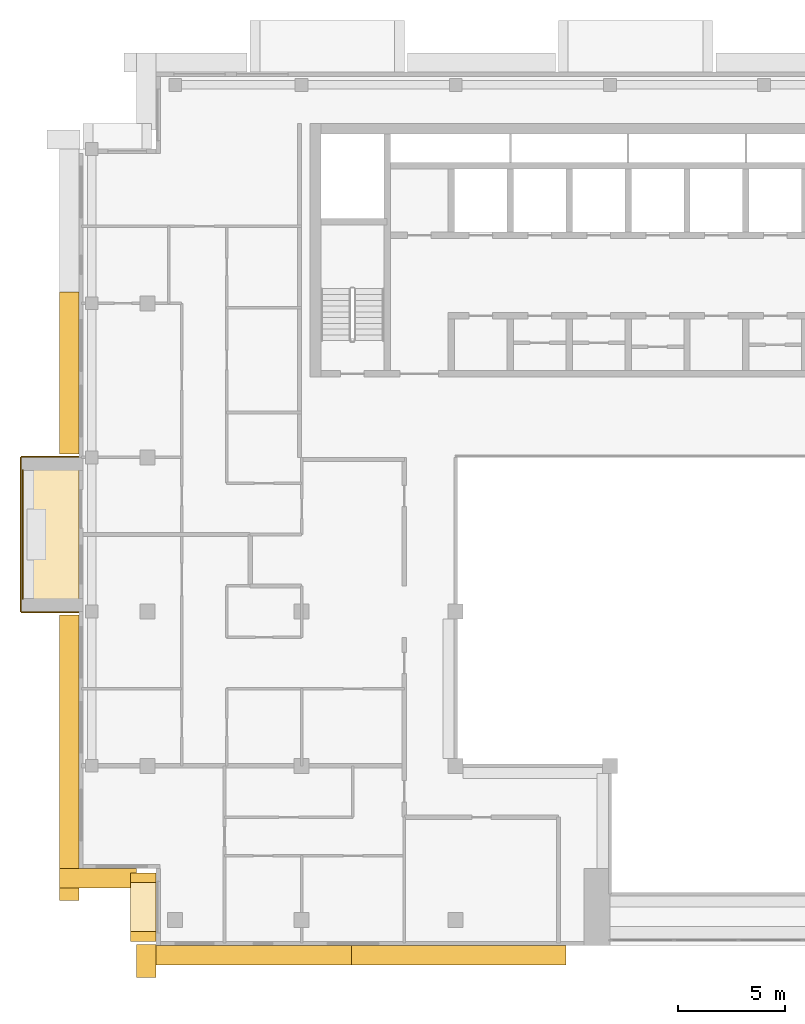
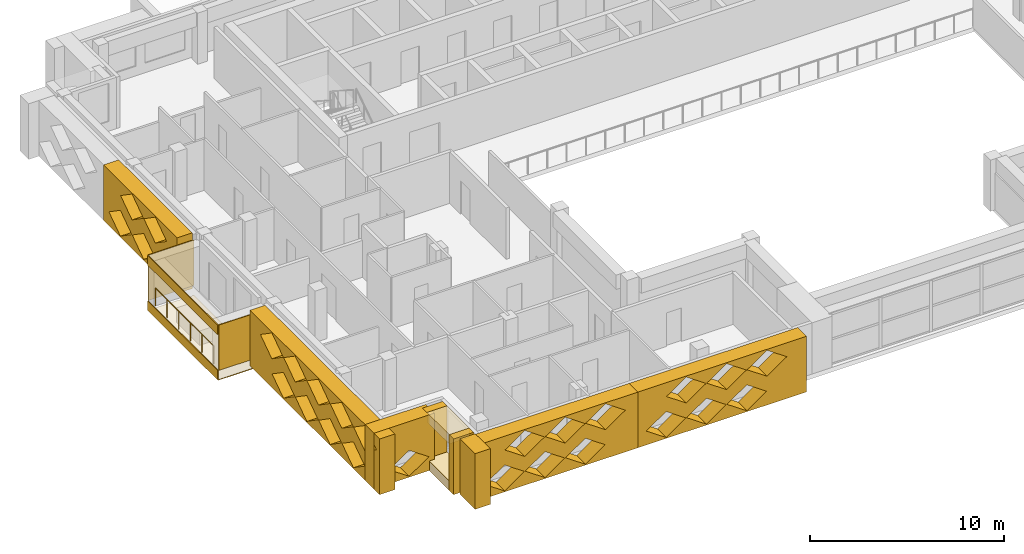
# One storey, part 12 of 18: 15 coverings, 1 railing.
"""IFC4 building model written with IfcOpenShell, lengths in metres."""

from ifc_helpers import new_model, si_unit, direction, frame, origin, origin_2d, place, context, subcontext, project, spatial, polyline, circle, outline, extrude, material, layer, layer_set, type_object, element, save


model = new_model("IFC4")

# Units and contexts
model_context = context("Model", 3, precision=1e-05, world=origin(), true_north=direction((0.0, 1.0)))
body_context = subcontext(model_context, "Body", "Model", "MODEL_VIEW")
ifc_project = project(units=[si_unit("LENGTHUNIT", "METRE"), si_unit("AREAUNIT", "SQUARE_METRE"), si_unit("VOLUMEUNIT", "CUBIC_METRE"), si_unit("PLANEANGLEUNIT", "RADIAN"), si_unit("MASSUNIT", "GRAM", prefix="KILO")], contexts=[model_context])

# Site, building, storey
site_placement = place(None, origin())
site = spatial("IfcSite", under=ifc_project, at=site_placement, CompositionType="ELEMENT")
building_placement = place(site_placement, origin())
building = spatial("IfcBuilding", under=site, at=building_placement, Name="Saffron Iwan Residences", CompositionType="ELEMENT")
storey_placement = place(building_placement, frame((0.0, 0.0, 257.0)))
storey = spatial("IfcBuildingStorey", under=building, at=storey_placement, Name="L69", CompositionType="ELEMENT", Elevation=257.0)

# Railing
ifc_material_1 = material(Name="Stainless steel 316", Category="steel")
railing_type = type_object("IfcRailingType", Name="BALCONY GUARD 1150", PredefinedType="GUARDRAIL", material=ifc_material_1)
railing_placement = place(storey_placement, frame((15.77490234375, 61.800048828125, 0.0)))
element("IfcRailing", 1, at=railing_placement, inside=storey, type_object=railing_type, Name="Balcony guard L69 F8-0", PredefinedType="GUARDRAIL", context=body_context, shape_type="SweptSolid", body=[
    extrude(circle(Radius=0.02392578125, at=origin_2d()), frame((0.0, 0.0, 1.1259765625), z_axis=(0.0, -1.0, 0.0), x_axis=(1.0, 0.0, 0.0)), (0.0, 0.0, 1.0), 6.0),
    extrude(circle(Radius=0.02099609375, at=origin_2d()), origin(), (0.0, 0.0, 1.0), 1.101806640625),
    extrude(circle(Radius=0.02099609375, at=origin_2d()), frame((0.0, -1.199951171875, 0.0)), (0.0, 0.0, 1.0), 1.101806640625),
    extrude(circle(Radius=0.02099609375, at=origin_2d()), frame((0.0, -2.39990234375, 0.0)), (0.0, 0.0, 1.0), 1.101806640625),
    extrude(circle(Radius=0.02099609375, at=origin_2d()), frame((0.0, -3.60009765625, 0.0)), (0.0, 0.0, 1.0), 1.101806640625),
    extrude(circle(Radius=0.02099609375, at=origin_2d()), frame((0.0, -4.800048828125, 0.0)), (0.0, 0.0, 1.0), 1.101806640625),
    extrude(circle(Radius=0.02099609375, at=origin_2d()), frame((0.0, -6.0, 0.0)), (0.0, 0.0, 1.0), 1.101806640625),
])

# Coverings
ifc_material_2 = material(Name="Precast concrete C40/50 white painted", Category="concrete")
ifc_layer = layer(ifc_material_2, 0.050048828125)
ifc_layer_set = layer_set([ifc_layer], Name="Precast concrete C40/50 white painted")
covering_type_1 = type_object("IfcCoveringType", Name="FRAME SKIN PRECAST WHITE 50", PredefinedType="CLADDING", material=ifc_layer_set)
for number, where, name in (
    (2, (0.0, 0.0, -0.60009765625), "Frame skin slab edge L69 F8-0"),
    (3, (0.0, 0.0, 2.25), "Frame skin fascia L69 F8-0"),
):
    element("IfcCovering", number, at=place(storey_placement, frame(where)), inside=storey, type_object=covering_type_1, Name=name, PredefinedType="CLADDING", context=body_context, shape_type="SweptSolid", body=[
        extrude(outline(polyline([(15.64990234375, 62.39990234375), (15.64990234375, 55.199951171875), (15.699951171875, 55.199951171875), (15.699951171875, 62.39990234375), (15.64990234375, 62.39990234375)])), origin(), (0.0, 0.0, 1.0), 0.60009765625),
    ])
covering_1_placement = place(storey_placement, frame((0.0, 0.0, -0.64990234375)))
element("IfcCovering", 4, at=covering_1_placement, inside=storey, type_object=covering_type_1, Name="Frame skin soffit L69 F8-0", PredefinedType="CLADDING", context=body_context, shape_type="SweptSolid", body=[
    extrude(outline(polyline([(15.699951171875, 62.39990234375), (15.699951171875, 55.199951171875), (18.39990234375, 55.199951171875), (18.39990234375, 62.39990234375), (15.699951171875, 62.39990234375)])), origin(), (0.0, 0.0, 1.0), 0.0498046875),
])
covering_2_placement = place(storey_placement, origin())
element("IfcCovering", 5, at=covering_2_placement, inside=storey, type_object=covering_type_1, Name="Frame skin fin L69 F8-0a", PredefinedType="CLADDING", context=body_context, shape_type="SweptSolid", body=[
    extrude(outline(polyline([(15.699951171875, 62.449951171875), (15.699951171875, 62.39990234375), (18.39990234375, 62.39990234375), (18.39990234375, 62.449951171875), (15.699951171875, 62.449951171875)])), origin(), (0.0, 0.0, 1.0), 2.85009765625),
])
covering_3_placement = place(storey_placement, origin())
element("IfcCovering", 6, at=covering_3_placement, inside=storey, type_object=covering_type_1, Name="Frame skin fin L69 F8-0b", PredefinedType="CLADDING", context=body_context, shape_type="SweptSolid", body=[
    extrude(outline(polyline([(15.699951171875, 55.199951171875), (15.699951171875, 55.14990234375), (18.39990234375, 55.14990234375), (18.39990234375, 55.199951171875), (15.699951171875, 55.199951171875)])), origin(), (0.0, 0.0, 1.0), 2.85009765625),
])
ifc_material_3 = material(Name="Precast concrete C40/50", Category="concrete")
covering_type_2 = type_object("IfcCoveringType", Name="OUTER SKIN LATTICE SCREEN", PredefinedType="CLADDING", material=ifc_material_3)
covering_4_placement = place(storey_placement, frame((18.39990234375, 70.125, -0.280029296875), z_axis=(-1.0, 0.0, 0.0), x_axis=(0.0, -1.0, 0.0)))
element("IfcCovering", 7, at=covering_4_placement, inside=storey, type_object=covering_type_2, Name="OUTER SKIN lattice screen L69 F8.1", PredefinedType="CLADDING", context=body_context, shape_type="SweptSolid", body=[
    extrude(outline(polyline([(0.0, 0.0), (7.574951171875, 0.0), (7.574951171875, 3.5), (0.0, 3.5), (0.0, 0.0)]), holes=[polyline([(0.544921875, 0.875), (1.72509765625, 0.06005859375), (2.905029296875, 0.875), (1.72509765625, 1.68994140625), (0.544921875, 0.875)]), polyline([(2.945068359375, 0.875), (4.125, 0.06005859375), (5.304931640625, 0.875), (4.125, 1.68994140625), (2.945068359375, 0.875)]), polyline([(1.7451171875, 2.625), (2.925048828125, 1.81005859375), (4.10498046875, 2.625), (2.925048828125, 3.43994140625), (1.7451171875, 2.625)]), polyline([(4.14501953125, 2.625), (5.324951171875, 1.81005859375), (6.5048828125, 2.625), (5.324951171875, 3.43994140625), (4.14501953125, 2.625)])]), origin(), (0.0, 0.0, 1.0), 0.89990234375),
])
covering_5_placement = place(storey_placement, frame((18.39990234375, 55.050048828125, -0.280029296875), z_axis=(-1.0, 0.0, 0.0), x_axis=(0.0, -1.0, 0.0)))
element("IfcCovering", 8, at=covering_5_placement, inside=storey, type_object=covering_type_2, Name="OUTER SKIN lattice screen L69 F8.2", PredefinedType="CLADDING", context=body_context, shape_type="SweptSolid", body=[
    extrude(outline(polyline([(0.0, 0.0), (13.35009765625, 0.0), (13.35009765625, 3.5), (0.0, 3.5), (0.0, 0.0)]), holes=[polyline([(2.27001953125, 0.875), (3.449951171875, 0.06005859375), (4.6298828125, 0.875), (3.449951171875, 1.68994140625), (2.27001953125, 0.875)]), polyline([(4.669921875, 0.875), (5.85009765625, 0.06005859375), (7.030029296875, 0.875), (5.85009765625, 1.68994140625), (4.669921875, 0.875)]), polyline([(7.070068359375, 0.875), (8.25, 0.06005859375), (9.429931640625, 0.875), (8.25, 1.68994140625), (7.070068359375, 0.875)]), polyline([(9.469970703125, 0.875), (10.64990234375, 0.06005859375), (11.830078125, 0.875), (10.64990234375, 1.68994140625), (9.469970703125, 0.875)]), polyline([(1.070068359375, 2.625), (2.25, 1.81005859375), (3.429931640625, 2.625), (2.25, 3.43994140625), (1.070068359375, 2.625)]), polyline([(3.469970703125, 2.625), (4.64990234375, 1.81005859375), (5.830078125, 2.625), (4.64990234375, 3.43994140625), (3.469970703125, 2.625)]), polyline([(5.8701171875, 2.625), (7.050048828125, 1.81005859375), (8.22998046875, 2.625), (7.050048828125, 3.43994140625), (5.8701171875, 2.625)]), polyline([(8.27001953125, 2.625), (9.449951171875, 1.81005859375), (10.6298828125, 2.625), (9.449951171875, 3.43994140625), (8.27001953125, 2.625)]), polyline([(10.669921875, 2.625), (11.85009765625, 1.81005859375), (13.030029296875, 2.625), (11.85009765625, 3.43994140625), (10.669921875, 2.625)])]), origin(), (0.0, 0.0, 1.0), 0.89990234375),
])
covering_6_placement = place(storey_placement, frame((17.5, 43.199951171875, -0.280029296875), z_axis=(0.0, -1.0, 0.0), x_axis=(1.0, 0.0, 0.0)))
element("IfcCovering", 9, at=covering_6_placement, inside=storey, type_object=covering_type_2, Name="OUTER SKIN lattice screen L69 F9.0", PredefinedType="CLADDING", context=body_context, shape_type="SweptSolid", body=[
    extrude(outline(polyline([(0.0, 0.0), (3.60009765625, 0.0), (3.60009765625, 3.5), (0.0, 3.5), (0.0, 0.0)]), holes=[polyline([(0.919921875, 0.875), (2.10009765625, 0.06005859375), (3.280029296875, 0.875), (2.10009765625, 1.68994140625), (0.919921875, 0.875)])]), origin(), (0.0, 0.0, 1.0), 0.89990234375),
])
covering_7_placement = place(storey_placement, frame((22.0, 39.64990234375, -0.280029296875), z_axis=(-1.0, 0.0, 0.0), x_axis=(0.0, -1.0, 0.0)))
element("IfcCovering", 10, at=covering_7_placement, inside=storey, type_object=covering_type_2, Name="OUTER SKIN lattice screen L69 F10.0", PredefinedType="CLADDING", context=body_context, shape_type="SweptSolid", body=[
    extrude(outline(polyline([(0.0, 0.0), (1.550048828125, 0.0), (1.550048828125, 3.5), (0.0, 3.5), (0.0, 0.0)])), origin(), (0.0, 0.0, 1.0), 0.89990234375),
])
covering_8_placement = place(storey_placement, frame((21.10009765625, 39.60009765625, -0.280029296875), z_axis=(0.0, -1.0, 0.0), x_axis=(1.0, 0.0, 0.0)))
element("IfcCovering", 11, at=covering_8_placement, inside=storey, type_object=covering_type_2, Name="OUTER SKIN lattice screen L69 F11.0", PredefinedType="CLADDING", context=body_context, shape_type="SweptSolid", body=[
    extrude(outline(polyline([(0.0, 0.0), (10.02490234375, 0.0), (10.02490234375, 3.5), (0.0, 3.5), (0.0, 0.0)]), holes=[polyline([(0.919921875, 0.875), (2.10009765625, 0.06005859375), (3.280029296875, 0.875), (2.10009765625, 1.68994140625), (0.919921875, 0.875)]), polyline([(3.320068359375, 0.875), (4.5, 0.06005859375), (5.679931640625, 0.875), (4.5, 1.68994140625), (3.320068359375, 0.875)]), polyline([(5.719970703125, 0.875), (6.89990234375, 0.06005859375), (8.080078125, 0.875), (6.89990234375, 1.68994140625), (5.719970703125, 0.875)]), polyline([(2.1201171875, 2.625), (3.300048828125, 1.81005859375), (4.47998046875, 2.625), (3.300048828125, 3.43994140625), (2.1201171875, 2.625)]), polyline([(4.52001953125, 2.625), (5.699951171875, 1.81005859375), (6.8798828125, 2.625), (5.699951171875, 3.43994140625), (4.52001953125, 2.625)]), polyline([(6.919921875, 2.625), (8.10009765625, 1.81005859375), (9.280029296875, 2.625), (8.10009765625, 3.43994140625), (6.919921875, 2.625)])]), origin(), (0.0, 0.0, 1.0), 0.900146484375),
])
covering_9_placement = place(storey_placement, frame((31.125, 39.60009765625, -0.280029296875), z_axis=(0.0, -1.0, 0.0), x_axis=(1.0, 0.0, 0.0)))
element("IfcCovering", 12, at=covering_9_placement, inside=storey, type_object=covering_type_2, Name="OUTER SKIN lattice screen L69 F11.1", PredefinedType="CLADDING", context=body_context, shape_type="SweptSolid", body=[
    extrude(outline(polyline([(0.0, 0.0), (10.02490234375, 0.0), (10.02490234375, 3.5), (0.0, 3.5), (0.0, 0.0)]), holes=[polyline([(0.4951171875, 0.875), (1.675048828125, 0.06005859375), (2.85498046875, 0.875), (1.675048828125, 1.68994140625), (0.4951171875, 0.875)]), polyline([(2.89501953125, 0.875), (4.074951171875, 0.06005859375), (5.2548828125, 0.875), (4.074951171875, 1.68994140625), (2.89501953125, 0.875)]), polyline([(5.294921875, 0.875), (6.47509765625, 0.06005859375), (7.655029296875, 0.875), (6.47509765625, 1.68994140625), (5.294921875, 0.875)]), polyline([(1.695068359375, 2.625), (2.875, 1.81005859375), (4.054931640625, 2.625), (2.875, 3.43994140625), (1.695068359375, 2.625)]), polyline([(4.094970703125, 2.625), (5.27490234375, 1.81005859375), (6.455078125, 2.625), (5.27490234375, 3.43994140625), (4.094970703125, 2.625)]), polyline([(6.4951171875, 2.625), (7.675048828125, 1.81005859375), (8.85498046875, 2.625), (7.675048828125, 3.43994140625), (6.4951171875, 2.625)])]), origin(), (0.0, 0.0, 1.0), 0.900146484375),
])
covering_type_3 = type_object("IfcCoveringType", Name="WHITE SUN FRAME PRECAST", PredefinedType="CLADDING", material=ifc_material_2)
for number, where, z_axis, x_axis, name in (
    (13, (22.0, 43.0, -0.280029296875), (-1.0, 0.0, 0.0), (0.0, -1.0, 0.0), "Sun frame L69 F10 0.2a"),
    (14, (22.0, 40.25, -0.280029296875), (-1.0, 0.0, 0.0), (0.0, -1.0, 0.0), "Sun frame L69 F10 0.2b"),
):
    element("IfcCovering", number, at=place(storey_placement, frame(where, z_axis=z_axis, x_axis=x_axis)), inside=storey, type_object=covering_type_3, Name=name, PredefinedType="CLADDING", context=body_context, shape_type="SweptSolid", body=[
        extrude(outline(polyline([(0.0, 0.0), (0.449951171875, 0.0), (0.449951171875, 3.5), (0.0, 3.5), (0.0, 0.0)])), origin(), (0.0, 0.0, 1.0), 1.199951171875),
    ])
for number, where, z_axis, x_axis, name in (
    (15, (22.0, 42.550048828125, 2.6201171875), (-1.0, 0.0, 0.0), (0.0, -1.0, 0.0), "Sun frame L69 F10 0.2h"),
    (16, (22.0, 42.550048828125, -0.280029296875), (-1.0, 0.0, 0.0), (0.0, -1.0, 0.0), "Sun frame L69 F10 0.2s"),
):
    element("IfcCovering", number, at=place(storey_placement, frame(where, z_axis=z_axis, x_axis=x_axis)), inside=storey, type_object=covering_type_3, Name=name, PredefinedType="CLADDING", context=body_context, shape_type="SweptSolid", body=[
        extrude(outline(polyline([(0.0, 0.0), (2.300048828125, 0.0), (2.300048828125, 0.60009765625), (0.0, 0.60009765625), (0.0, 0.0)])), origin(), (0.0, 0.0, 1.0), 1.199951171875),
    ])

save(model, "model.ifc")
